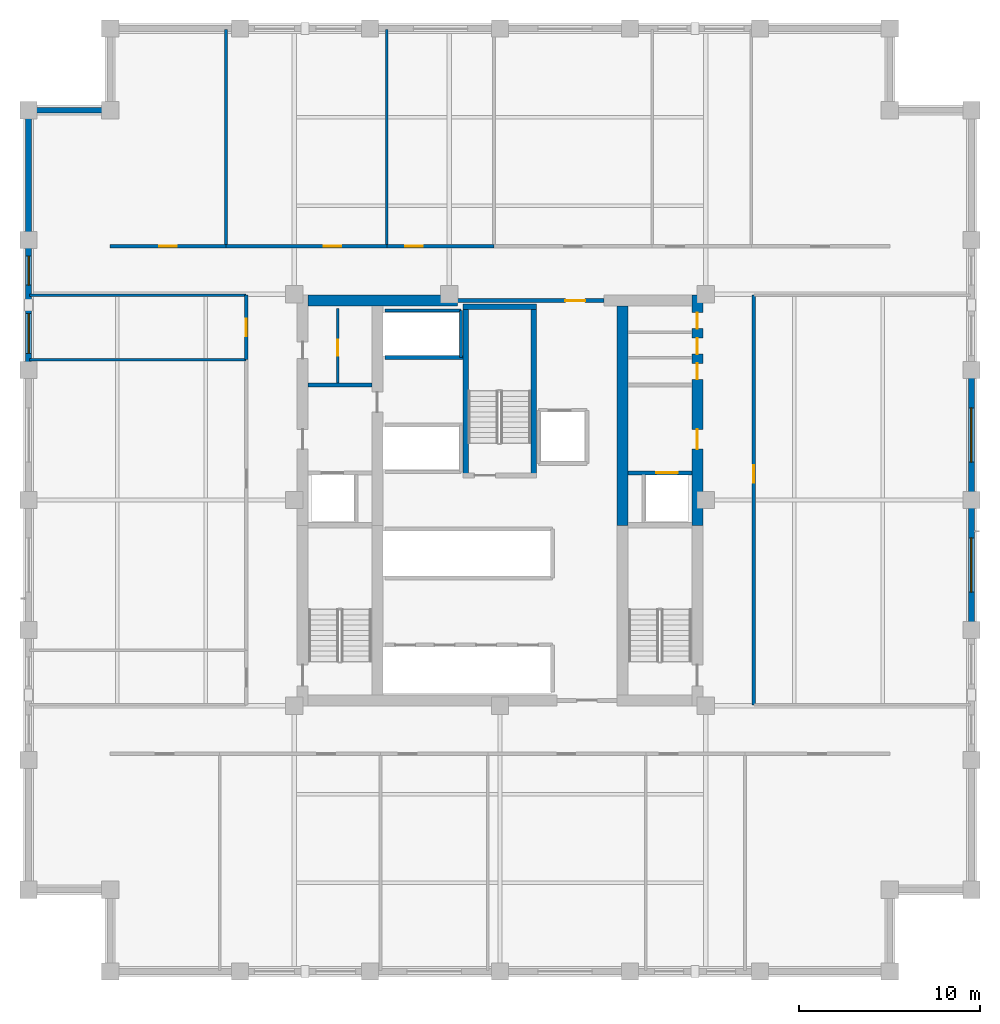
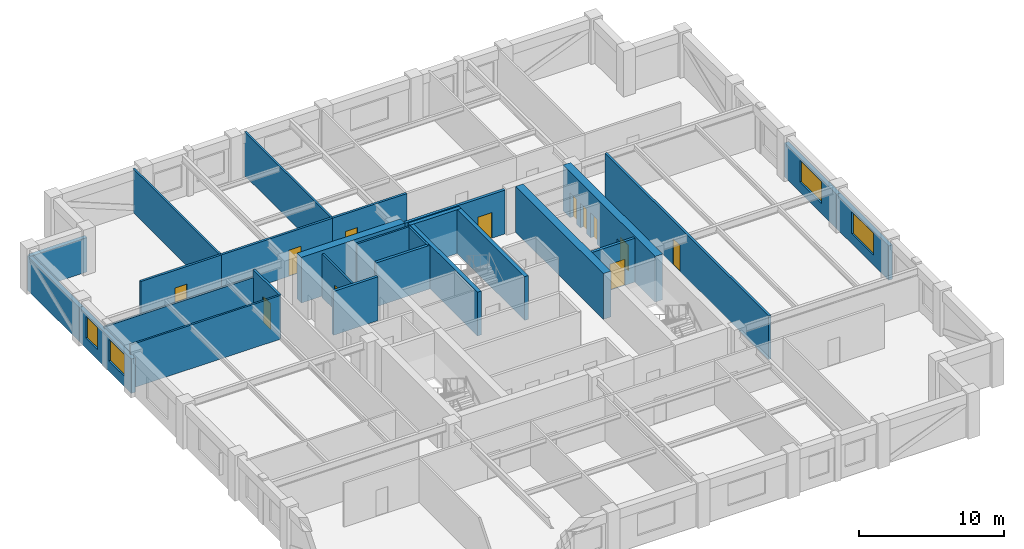
# One storey, part 7 of 9: 27 walls, 12 doors, 4 windows, 16 openings.
"""IFC4 building model written with IfcOpenShell, lengths in metres."""

import ifcopenshell
import ifcopenshell.guid

model = None  # the IFC model being written
_history = None  # IfcOwnerHistory: only IFC2X3 demands one
_inside = {}  # id of a spatial element -> (the spatial element, [elements in it])
_under = {}  # id of a project, library or spatial element -> (it, [spatial elements below it])
_declared = {}  # id of a project -> (the project, [libraries it declares])
_typed = {}  # id of a type object -> (the type object, [elements of that type])
_made_of = {}  # id of a material, layer set ... -> (it, [elements and type objects made of it])


def new_model(schema):
    """Start an empty IFC model of exactly this schema.

    Asked for "IFC4X3", IfcOpenShell would pick the latest addendum, in which some entities
    have other attributes; the version numbers below select the first issue.
    IFC2X3 requires an IfcOwnerHistory on every rooted entity: one is made here for all.
    """
    global model, _history
    if schema == "IFC4X3":
        model = ifcopenshell.file(schema_version=(4, 3, 0, 0))
    else:
        model = ifcopenshell.file(schema=schema)
    _inside.clear()
    _under.clear()
    _declared.clear()
    _typed.clear()
    _made_of.clear()
    _history = None
    if model.schema == "IFC2X3":
        org = make("IfcOrganization", Name="unknown")
        user = make(
            "IfcPersonAndOrganization",
            ThePerson=make("IfcPerson", FamilyName="unknown"),
            TheOrganization=org,
        )
        app = make(
            "IfcApplication",
            ApplicationDeveloper=org,
            Version="unknown",
            ApplicationFullName="unknown",
            ApplicationIdentifier="unknown",
        )
        _history = make(
            "IfcOwnerHistory",
            OwningUser=user,
            OwningApplication=app,
            ChangeAction="ADDED",
            CreationDate=0,
        )
    return model


def make(cls, **values):
    """One entity of the class cls with the attributes given. An attribute that is None is left unset."""
    return model.create_entity(
        cls, **{name: value for name, value in values.items() if value is not None}
    )


def rooted(cls, **values):
    """An entity with a GlobalId (a new one), such as an element, a storey or a relation."""
    return make(cls, GlobalId=ifcopenshell.guid.new(), OwnerHistory=_history, **values)


def si_unit(unit_type, name, prefix=None):
    """IfcSIUnit, for example si_unit("LENGTHUNIT", "METRE", prefix="MILLI")."""
    return make("IfcSIUnit", UnitType=unit_type, Prefix=prefix, Name=name)


def assignment(units):
    """IfcUnitAssignment: the units of a project."""
    return None if units is None else make("IfcUnitAssignment", Units=units)


def point(xyz):
    """IfcCartesianPoint."""
    return None if xyz is None else make("IfcCartesianPoint", Coordinates=xyz)


def direction(xyz):
    """IfcDirection."""
    return None if xyz is None else make("IfcDirection", DirectionRatios=xyz)


def frame(location, z_axis=None, x_axis=None):
    """IfcAxis2Placement3D, a coordinate frame: its origin and axes. An axis left out is left unset."""
    return make(
        "IfcAxis2Placement3D",
        Location=point(location),
        Axis=direction(z_axis),
        RefDirection=direction(x_axis),
    )


def frame_2d(location, x_axis=None):
    """IfcAxis2Placement2D, a coordinate frame in the plane: its origin and x axis."""
    return make(
        "IfcAxis2Placement2D", Location=point(location), RefDirection=direction(x_axis)
    )


def origin():
    """The frame at (0, 0, 0) with its axes left unset."""
    return frame((0.0, 0.0, 0.0))


def place(relative_to, where):
    """IfcLocalPlacement: puts the frame where relative to a parent placement (None: the world)."""
    return make(
        "IfcLocalPlacement", PlacementRelTo=relative_to, RelativePlacement=where
    )


def context(
    kind, dimensions, precision=None, world=None, true_north=None, identifier=None
):
    """IfcGeometricRepresentationContext, for example the 3D "Model" context."""
    return make(
        "IfcGeometricRepresentationContext",
        ContextIdentifier=identifier,
        ContextType=kind,
        CoordinateSpaceDimension=dimensions,
        Precision=precision,
        WorldCoordinateSystem=world,
        TrueNorth=true_north,
    )


def subcontext(parent, identifier, kind, view, scale=None):
    """IfcGeometricRepresentationSubContext, for example "Body" below "Model"."""
    return make(
        "IfcGeometricRepresentationSubContext",
        ContextIdentifier=identifier,
        ContextType=kind,
        ParentContext=parent,
        TargetScale=scale,
        TargetView=view,
    )


def project(units=None, contexts=None):
    """IfcProject with its units and contexts."""
    return rooted(
        "IfcProject",
        Name="project",
        RepresentationContexts=contexts,
        UnitsInContext=assignment(units),
    )


def spatial(cls, under=None, at=None, **own):
    """A site, building, storey or space (cls), placed at a placement, below another one or the project."""
    s = rooted(cls, ObjectPlacement=at, **own)
    if under is not None:
        _under.setdefault(under.id(), (under, []))[1].append(s)
    return s


def profile(cls, at=None, kind="AREA", **sizes):
    """A parametric profile (cls). Its sizes go by their IFC names, for example OverallWidth=200.0."""
    return make(cls, ProfileType=kind, Position=at, **sizes)


def rectangle(**sizes):
    """IfcRectangleProfileDef."""
    return profile("IfcRectangleProfileDef", **sizes)


def extrude(swept, where, along, depth):
    """IfcExtrudedAreaSolid: the profile swept, set in the frame where, extruded along a direction by depth."""
    return make(
        "IfcExtrudedAreaSolid",
        SweptArea=swept,
        Position=where,
        ExtrudedDirection=direction(along),
        Depth=depth,
    )


def shape(context_of_items, identifier, shape_type, items):
    """IfcShapeRepresentation: the items that make up one representation, for example the "Body"."""
    return make(
        "IfcShapeRepresentation",
        ContextOfItems=context_of_items,
        RepresentationIdentifier=identifier,
        RepresentationType=shape_type,
        Items=items,
    )


def material(Name=None, Category=None):
    """IfcMaterial."""
    return make("IfcMaterial", Name=Name, Category=Category)


def layer(
    of_material, thickness, ventilated=None, Name=None, Category=None, Priority=None
):
    """IfcMaterialLayer: one layer of a wall or slab, of a material (None: an air gap)."""
    return make(
        "IfcMaterialLayer",
        Material=of_material,
        LayerThickness=thickness,
        IsVentilated=ventilated,
        Name=Name,
        Category=Category,
        Priority=Priority,
    )


def layer_set(layers, Name=None):
    """IfcMaterialLayerSet."""
    return make("IfcMaterialLayerSet", MaterialLayers=layers, LayerSetName=Name)


def made_of(thing, what):
    """Note that an element or type object is made of a material, layer set ...; save() writes the relation."""
    if what is not None:
        _made_of.setdefault(what.id(), (what, []))[1].append(thing)
    return thing


def type_object(cls, material=None, **own):
    """A type object (cls), such as IfcWallType, which elements share."""
    return made_of(rooted(cls, **own), material)


def element(
    cls,
    number,
    at=None,
    inside=None,
    cuts=None,
    type_object=None,
    material=None,
    context=None,
    identifier="Body",
    shape_type=None,
    held_by="IfcProductDefinitionShape",
    body=None,
    shapes=None,
    **own,
):
    """One element of the class cls, such as IfcWall. Its Tag is "e" and its number.

    at: its placement. inside: the storey or other place that contains it. cuts: it is an
    opening in that element (IfcRelVoidsElement). A single representation is given by context,
    identifier, shape_type and body (its items); several are given by shapes. held_by: the class
    of the entity that holds the representations. save() writes the other relations.
    """
    e = rooted(cls, Tag="e%d" % number, ObjectPlacement=at, **own)
    if body is not None:
        shapes = [shape(context, identifier, shape_type, body)]
    if shapes is not None:
        e.Representation = make(held_by, Representations=shapes)
    if inside is not None:
        _inside.setdefault(inside.id(), (inside, []))[1].append(e)
    if cuts is not None:
        rooted(
            "IfcRelVoidsElement", RelatingBuildingElement=cuts, RelatedOpeningElement=e
        )
    if type_object is not None:
        _typed.setdefault(type_object.id(), (type_object, []))[1].append(e)
    return made_of(e, material)


def fill(opening, filler):
    """IfcRelFillsElement: the door or window that sits in an opening."""
    return rooted(
        "IfcRelFillsElement",
        RelatingOpeningElement=opening,
        RelatedBuildingElement=filler,
    )


def aggregate(whole, parts):
    """IfcRelAggregates: a whole, such as a stair, and the parts it consists of."""
    return rooted("IfcRelAggregates", RelatingObject=whole, RelatedObjects=parts)


def save(model, path):
    """Write the relations noted so far, then the file.

    IfcRelAggregates (storeys below a building ...), IfcRelContainedInSpatialStructure (elements
    in a storey), IfcRelDefinesByType, IfcRelAssociatesMaterial and IfcRelDeclares: one each for
    every whole, place, type object, material and project.
    """
    for whole, parts in _under.values():
        aggregate(whole, parts)
    for where, things in _inside.values():
        rooted(
            "IfcRelContainedInSpatialStructure",
            RelatedElements=things,
            RelatingStructure=where,
        )
    for kind, things in _typed.values():
        rooted("IfcRelDefinesByType", RelatedObjects=things, RelatingType=kind)
    for what, things in _made_of.values():
        rooted("IfcRelAssociatesMaterial", RelatedObjects=things, RelatingMaterial=what)
    for by, libraries in _declared.values():
        rooted("IfcRelDeclares", RelatingContext=by, RelatedDefinitions=libraries)
    model.write(path)


model = new_model("IFC4")

# Units and contexts
model_context = context("Model", 3, precision=1e-05, world=origin(), true_north=direction((0.0, 1.0)))
body_context = subcontext(model_context, "Body", "Model", "MODEL_VIEW")
ifc_project = project(units=[si_unit("LENGTHUNIT", "METRE"), si_unit("AREAUNIT", "SQUARE_METRE"), si_unit("VOLUMEUNIT", "CUBIC_METRE"), si_unit("PLANEANGLEUNIT", "RADIAN"), si_unit("MASSUNIT", "GRAM", prefix="KILO")], contexts=[model_context])

# Site, building, storey
site_placement = place(None, origin())
site = spatial("IfcSite", under=ifc_project, at=site_placement, CompositionType="ELEMENT")
building_placement = place(site_placement, origin())
building = spatial("IfcBuilding", under=site, at=building_placement, Name="Nhamokura Convention Tower", CompositionType="ELEMENT")
storey_placement = place(building_placement, frame((0.0, 0.0, 126.0)))
storey = spatial("IfcBuildingStorey", under=building, at=storey_placement, Name="L30", CompositionType="ELEMENT", Elevation=126.0)

# Wall, opening, door
ifc_material_1 = material(Name="Moisture-resistant tile-backer partition", Category="masonry")
ifc_layer_1 = layer(ifc_material_1, 0.139892578125)
ifc_layer_set_1 = layer_set([ifc_layer_1], Name="BathroomWetWall_140")
wall_type_1 = type_object("IfcWallType", Name="BathroomWetWall_140", PredefinedType="STANDARD", material=ifc_layer_set_1)
wall_1_placement = place(storey_placement, frame((23.050048828125, 38.449951171875, 0.0), z_axis=(0.0, 0.0, 1.0), x_axis=(0.0, 1.0, 0.0)))
wall_1 = element("IfcWall", 1, at=wall_1_placement, inside=storey, type_object=wall_type_1, Name="L30 Wall INT-L30-CWNWV", PredefinedType="STANDARD", context=body_context, shape_type="SweptSolid", body=[
    extrude(rectangle(XDim=4.10009765625, YDim=0.139892578125, at=frame_2d((2.050048828125, 0.0))), origin(), (0.0, 0.0, 1.0), 3.68505859375),
])
opening_1_placement = place(wall_1_placement, frame((1.5, 0.0, 0.0)))
opening_1 = element("IfcOpeningElement", 2, at=opening_1_placement, cuts=wall_1, Name="Opening D-11", PredefinedType="OPENING", context=body_context, shape_type="SweptSolid", body=[
    extrude(rectangle(XDim=0.8798828125, YDim=2.10009765625, at=frame_2d((0.43994140625, 1.050048828125))), frame((0.0, 0.079833984375, 0.0), z_axis=(0.0, -1.0, 0.0), x_axis=(1.0, 0.0, 0.0)), (0.0, 0.0, 1.0), 0.159912109375),
])
ifc_material_2 = material(Name="Solid oak hardwood", Category="wood")
door_type_1 = type_object("IfcDoorType", Name="BathroomDoor_880", OperationType="NOTDEFINED", PredefinedType="DOOR", material=ifc_material_2)
door_1_placement = place(opening_1_placement, origin())
door_1 = element("IfcDoor", 3, at=door_1_placement, inside=storey, type_object=door_type_1, Name="L30 Inner Store Door", OperationType="SINGLE_SWING_LEFT", OverallHeight=2.10009765625, OverallWidth=0.8798828125, PredefinedType="DOOR", context=body_context, shape_type="SweptSolid", body=[
    extrude(rectangle(XDim=0.8798828125, YDim=2.10009765625, at=frame_2d((0.43994140625, 1.050048828125))), frame((0.0, 0.02490234375, 0.0), z_axis=(0.0, -1.0, 0.0), x_axis=(1.0, 0.0, 0.0)), (0.0, 0.0, 1.0), 0.050048828125),
])
fill(opening_1, door_1)

# Wall, openings, windows
ifc_material_3 = material(Name="Bronze-pigmented precast concrete C45/55", Category="concrete")
ifc_layer_2 = layer(ifc_material_3, 0.320068359375)
ifc_layer_set_2 = layer_set([ifc_layer_2], Name="BronzePrecastSpandrel_320")
wall_type_2 = type_object("IfcWallType", Name="BronzePrecastSpandrel_320", PredefinedType="USERDEFINED", material=ifc_layer_set_2)
wall_2_placement = place(storey_placement, frame((6.0, 39.166748046875, 0.0), z_axis=(0.0, 0.0, 1.0), x_axis=(0.0, 1.0, 0.0)))
wall_2 = element("IfcWall", 4, at=wall_2_placement, inside=storey, type_object=wall_type_2, Name="L30 Masonry-Frame Wall WEST 4", ObjectType="SPANDREL_WALL", PredefinedType="USERDEFINED", context=body_context, shape_type="SweptSolid", body=[
    extrude(rectangle(XDim=7.16650390625, YDim=0.320068359375, at=frame_2d((3.583251953125, 0.0))), origin(), (0.0, 0.0, 1.0), 2.885009765625),
])
opening_2_placement = place(wall_2_placement, frame((0.916748046875, 0.0, 0.85009765625)))
opening_2 = element("IfcOpeningElement", 5, at=opening_2_placement, cuts=wall_2, Name="Opening W-06", PredefinedType="OPENING", context=body_context, shape_type="SweptSolid", body=[
    extrude(rectangle(XDim=2.199951171875, YDim=1.8349609375, at=frame_2d((1.10009765625, 0.91748046875))), frame((0.0, 0.169921875, 0.0), z_axis=(0.0, -1.0, 0.0), x_axis=(1.0, 0.0, 0.0)), (0.0, 0.0, 1.0), 0.340087890625),
])
opening_3_placement = place(wall_2_placement, frame((4.6875, 0.0, 0.85009765625)))
opening_3 = element("IfcOpeningElement", 6, at=opening_3_placement, cuts=wall_2, Name="Opening W-11", PredefinedType="OPENING", context=body_context, shape_type="SweptSolid", body=[
    extrude(rectangle(XDim=1.60009765625, YDim=1.8349609375, at=frame_2d((0.800048828125, 0.91748046875))), frame((0.0, 0.169921875, 0.0), z_axis=(0.0, -1.0, 0.0), x_axis=(1.0, 0.0, 0.0)), (0.0, 0.0, 1.0), 0.340087890625),
])
ifc_material_4 = material(Name="Solar-control bronze low-E double glass", Category="glass")
window_type_1 = type_object("IfcWindowType", Name="NotchCornerWindow_1600", PartitioningType="SINGLE_PANEL", PredefinedType="WINDOW", material=ifc_material_4)
window_1_placement = place(opening_3_placement, origin())
window_1 = element("IfcWindow", 7, at=window_1_placement, inside=storey, type_object=window_type_1, Name="L30 Facade Window WEST 4-2", OverallHeight=1.8349609375, OverallWidth=1.60009765625, PartitioningType="SINGLE_PANEL", PredefinedType="WINDOW", context=body_context, shape_type="SweptSolid", body=[
    extrude(rectangle(XDim=1.60009765625, YDim=1.8349609375, at=frame_2d((0.800048828125, 0.91748046875))), frame((0.0, 0.030029296875, 0.0), z_axis=(0.0, -1.0, 0.0), x_axis=(1.0, 0.0, 0.0)), (0.0, 0.0, 1.0), 0.06005859375),
])
fill(opening_3, window_1)
ifc_material_5 = material(Name="Solar-control bronze low-E double glass", Category="glass")
window_type_2 = type_object("IfcWindowType", Name="OfficeModuleWindow_Z2_2200", PartitioningType="SINGLE_PANEL", PredefinedType="WINDOW", material=ifc_material_5)
window_2_placement = place(opening_2_placement, origin())
window_2 = element("IfcWindow", 8, at=window_2_placement, inside=storey, type_object=window_type_2, Name="L30 Facade Window WEST 4-1", OverallHeight=1.8349609375, OverallWidth=2.199951171875, PartitioningType="SINGLE_PANEL", PredefinedType="WINDOW", context=body_context, shape_type="SweptSolid", body=[
    extrude(rectangle(XDim=2.199951171875, YDim=1.8349609375, at=frame_2d((1.10009765625, 0.91748046875))), frame((0.0, 0.030029296875, 0.0), z_axis=(0.0, -1.0, 0.0), x_axis=(1.0, 0.0, 0.0)), (0.0, 0.0, 1.0), 0.06005859375),
])
fill(opening_2, window_2)

# Wall
wall_3_placement = place(storey_placement, frame((6.0, 46.333251953125, 0.0), z_axis=(0.0, 0.0, 1.0), x_axis=(0.0, 1.0, 0.0)))
element("IfcWall", 9, at=wall_3_placement, inside=storey, type_object=wall_type_2, Name="L30 Braced-Bay Precast Wall WEST 5", ObjectType="SPANDREL_WALL", PredefinedType="USERDEFINED", context=body_context, shape_type="SweptSolid", body=[
    extrude(rectangle(XDim=7.166748046875, YDim=0.320068359375, at=frame_2d((3.58349609375, 0.0))), origin(), (0.0, 0.0, 1.0), 2.885009765625),
])

# Wall, opening, window
wall_4_placement = place(storey_placement, frame((58.0, 32.0, 0.0), z_axis=(0.0, 0.0, 1.0), x_axis=(0.0, -1.0, 0.0)))
wall_4 = element("IfcWall", 10, at=wall_4_placement, inside=storey, type_object=wall_type_2, Name="L30 Masonry-Frame Wall EAST 2", ObjectType="SPANDREL_WALL", PredefinedType="USERDEFINED", context=body_context, shape_type="SweptSolid", body=[
    extrude(rectangle(XDim=7.166748046875, YDim=0.320068359375, at=frame_2d((3.58349609375, 0.0))), origin(), (0.0, 0.0, 1.0), 2.885009765625),
])
opening_4_placement = place(wall_4_placement, frame((2.083251953125, 0.0, 0.85009765625)))
opening_4 = element("IfcOpeningElement", 11, at=opening_4_placement, cuts=wall_4, Name="Opening W-05", PredefinedType="OPENING", context=body_context, shape_type="SweptSolid", body=[
    extrude(rectangle(XDim=3.0, YDim=1.8349609375, at=frame_2d((1.5, 0.91748046875))), frame((0.0, 0.169921875, 0.0), z_axis=(0.0, -1.0, 0.0), x_axis=(1.0, 0.0, 0.0)), (0.0, 0.0, 1.0), 0.340087890625),
])
ifc_material_6 = material(Name="Solar-control bronze low-E double glass", Category="glass")
window_type_3 = type_object("IfcWindowType", Name="OfficeModuleWindow_Z2_3000", PartitioningType="DOUBLE_PANEL_VERTICAL", PredefinedType="WINDOW", material=ifc_material_6)
window_3_placement = place(opening_4_placement, origin())
window_3 = element("IfcWindow", 12, at=window_3_placement, inside=storey, type_object=window_type_3, Name="L30 Facade Window EAST 2", OverallHeight=1.8349609375, OverallWidth=3.0, PartitioningType="SINGLE_PANEL", PredefinedType="WINDOW", context=body_context, shape_type="SweptSolid", body=[
    extrude(rectangle(XDim=3.0, YDim=1.8349609375, at=frame_2d((1.5, 0.91748046875))), frame((0.0, 0.030029296875, 0.0), z_axis=(0.0, -1.0, 0.0), x_axis=(1.0, 0.0, 0.0)), (0.0, 0.0, 1.0), 0.06005859375),
])
fill(opening_4, window_3)

wall_5_placement = place(storey_placement, frame((58.0, 39.166748046875, 0.0), z_axis=(0.0, 0.0, 1.0), x_axis=(0.0, -1.0, 0.0)))
wall_5 = element("IfcWall", 13, at=wall_5_placement, inside=storey, type_object=wall_type_2, Name="L30 Masonry-Frame Wall EAST 3", ObjectType="SPANDREL_WALL", PredefinedType="USERDEFINED", context=body_context, shape_type="SweptSolid", body=[
    extrude(rectangle(XDim=7.166748046875, YDim=0.320068359375, at=frame_2d((3.58349609375, 0.0))), origin(), (0.0, 0.0, 1.0), 2.885009765625),
])
opening_5_placement = place(wall_5_placement, frame((2.083251953125, 0.0, 0.85009765625)))
opening_5 = element("IfcOpeningElement", 14, at=opening_5_placement, cuts=wall_5, Name="Opening W-05", PredefinedType="OPENING", context=body_context, shape_type="SweptSolid", body=[
    extrude(rectangle(XDim=3.0, YDim=1.8349609375, at=frame_2d((1.5, 0.91748046875))), frame((0.0, 0.169921875, 0.0), z_axis=(0.0, -1.0, 0.0), x_axis=(1.0, 0.0, 0.0)), (0.0, 0.0, 1.0), 0.340087890625),
])
window_4_placement = place(opening_5_placement, origin())
window_4 = element("IfcWindow", 15, at=window_4_placement, inside=storey, type_object=window_type_3, Name="L30 Facade Window EAST 3", OverallHeight=1.8349609375, OverallWidth=3.0, PartitioningType="SINGLE_PANEL", PredefinedType="WINDOW", context=body_context, shape_type="SweptSolid", body=[
    extrude(rectangle(XDim=3.0, YDim=1.8349609375, at=frame_2d((1.5, 0.91748046875))), frame((0.0, 0.030029296875, 0.0), z_axis=(0.0, -1.0, 0.0), x_axis=(1.0, 0.0, 0.0)), (0.0, 0.0, 1.0), 0.06005859375),
])
fill(opening_5, window_4)

# Wall
wall_6_placement = place(storey_placement, frame((6.0, 53.5, 0.0), z_axis=(0.0, 0.0, 1.0), x_axis=(1.0, 0.0, 0.0)))
element("IfcWall", 16, at=wall_6_placement, inside=storey, type_object=wall_type_2, Name="L30 Notched Corner Wall NW2", ObjectType="SPANDREL_WALL", PredefinedType="USERDEFINED", context=body_context, shape_type="SweptSolid", body=[
    extrude(rectangle(XDim=4.5, YDim=0.320068359375, at=frame_2d((2.25, 0.0))), origin(), (0.0, 0.0, 1.0), 2.885009765625),
])

# Wall, openings, doors
ifc_material_7 = material(Name="Concrete C60/75", Category="concrete")
ifc_layer_3 = layer(ifc_material_7, 0.60009765625)
ifc_layer_set_3 = layer_set([ifc_layer_3], Name="CoreShearWall_600")
wall_type_3 = type_object("IfcWallType", Name="CoreShearWall_600", PredefinedType="SHEAR", material=ifc_layer_set_3)
wall_7_placement = place(storey_placement, frame((42.889892578125, 30.60009765625, 0.0), z_axis=(0.0, 0.0, 1.0), x_axis=(0.0, 1.0, 0.0)))
wall_7 = element("IfcWall", 17, at=wall_7_placement, inside=storey, type_object=wall_type_3, Name="L30 Core Shear Wall CW-EN", PredefinedType="SHEAR", context=body_context, shape_type="SweptSolid", body=[
    extrude(rectangle(XDim=12.699951171875, YDim=0.60009765625, at=frame_2d((6.35009765625, 0.0))), origin(), (0.0, 0.0, 1.0), 3.85009765625),
])
opening_6_placement = place(wall_7_placement, frame((4.199951171875, 0.0, 0.0)))
opening_6 = element("IfcOpeningElement", 18, at=opening_6_placement, cuts=wall_7, Name="Opening D-05", PredefinedType="OPENING", context=body_context, shape_type="SweptSolid", body=[
    extrude(rectangle(XDim=1.10009765625, YDim=2.14990234375, at=frame_2d((0.550048828125, 1.074951171875))), frame((0.0, 0.31005859375, 0.0), z_axis=(0.0, -1.0, 0.0), x_axis=(1.0, 0.0, 0.0)), (0.0, 0.0, 1.0), 0.6201171875),
])
opening_7_placement = place(wall_7_placement, frame((8.050048828125, 0.0, 0.0)))
opening_7 = element("IfcOpeningElement", 19, at=opening_7_placement, cuts=wall_7, Name="Opening D-11", PredefinedType="OPENING", context=body_context, shape_type="SweptSolid", body=[
    extrude(rectangle(XDim=0.8798828125, YDim=2.10009765625, at=frame_2d((0.43994140625, 1.050048828125))), frame((0.0, 0.31005859375, 0.0), z_axis=(0.0, -1.0, 0.0), x_axis=(1.0, 0.0, 0.0)), (0.0, 0.0, 1.0), 0.6201171875),
])
opening_8_placement = place(wall_7_placement, frame((9.449951171875, 0.0, 0.0)))
opening_8 = element("IfcOpeningElement", 20, at=opening_8_placement, cuts=wall_7, Name="Opening D-11", PredefinedType="OPENING", context=body_context, shape_type="SweptSolid", body=[
    extrude(rectangle(XDim=0.8798828125, YDim=2.10009765625, at=frame_2d((0.43994140625, 1.050048828125))), frame((0.0, 0.31005859375, 0.0), z_axis=(0.0, -1.0, 0.0), x_axis=(1.0, 0.0, 0.0)), (0.0, 0.0, 1.0), 0.6201171875),
])
opening_9_placement = place(wall_7_placement, frame((10.85009765625, 0.0, 0.0)))
opening_9 = element("IfcOpeningElement", 21, at=opening_9_placement, cuts=wall_7, Name="Opening D-11", PredefinedType="OPENING", context=body_context, shape_type="SweptSolid", body=[
    extrude(rectangle(XDim=0.8798828125, YDim=2.10009765625, at=frame_2d((0.43994140625, 1.050048828125))), frame((0.0, 0.31005859375, 0.0), z_axis=(0.0, -1.0, 0.0), x_axis=(1.0, 0.0, 0.0)), (0.0, 0.0, 1.0), 0.6201171875),
])
door_2_placement = place(opening_7_placement, origin())
door_2 = element("IfcDoor", 22, at=door_2_placement, inside=storey, type_object=door_type_1, Name="L30 Core Door INT-L30-D-MWC", OperationType="SINGLE_SWING_LEFT", OverallHeight=2.10009765625, OverallWidth=0.8798828125, PredefinedType="DOOR", context=body_context, shape_type="SweptSolid", body=[
    extrude(rectangle(XDim=0.8798828125, YDim=2.10009765625, at=frame_2d((0.43994140625, 1.050048828125))), frame((0.0, 0.02490234375, 0.0), z_axis=(0.0, -1.0, 0.0), x_axis=(1.0, 0.0, 0.0)), (0.0, 0.0, 1.0), 0.050048828125),
])
fill(opening_7, door_2)
door_3_placement = place(opening_8_placement, origin())
door_3 = element("IfcDoor", 23, at=door_3_placement, inside=storey, type_object=door_type_1, Name="L30 Core Door INT-L30-D-FWC", OperationType="SINGLE_SWING_RIGHT", OverallHeight=2.10009765625, OverallWidth=0.8798828125, PredefinedType="DOOR", context=body_context, shape_type="SweptSolid", body=[
    extrude(rectangle(XDim=0.8798828125, YDim=2.10009765625, at=frame_2d((0.43994140625, 1.050048828125))), frame((0.0, 0.02490234375, 0.0), z_axis=(0.0, -1.0, 0.0), x_axis=(1.0, 0.0, 0.0)), (0.0, 0.0, 1.0), 0.050048828125),
])
fill(opening_8, door_3)
door_4_placement = place(opening_9_placement, origin())
door_4 = element("IfcDoor", 24, at=door_4_placement, inside=storey, type_object=door_type_1, Name="L30 Core Door INT-L30-D-ARC", OperationType="SINGLE_SWING_LEFT", OverallHeight=2.10009765625, OverallWidth=0.8798828125, PredefinedType="DOOR", context=body_context, shape_type="SweptSolid", body=[
    extrude(rectangle(XDim=0.8798828125, YDim=2.10009765625, at=frame_2d((0.43994140625, 1.050048828125))), frame((0.0, 0.02490234375, 0.0), z_axis=(0.0, -1.0, 0.0), x_axis=(1.0, 0.0, 0.0)), (0.0, 0.0, 1.0), 0.050048828125),
])
fill(opening_9, door_4)
ifc_material_8 = material(Name="Fire-rated steel door", Category="steel")
door_type_2 = type_object("IfcDoorType", Name="FireLobbyDoor_1100", OperationType="NOTDEFINED", PredefinedType="DOOR", material=ifc_material_8)
door_5_placement = place(opening_6_placement, origin())
door_5 = element("IfcDoor", 25, at=door_5_placement, inside=storey, type_object=door_type_2, Name="L30 Core Door INT-L30-D-FFLE", OperationType="SINGLE_SWING_LEFT", OverallHeight=2.14990234375, OverallWidth=1.10009765625, PredefinedType="DOOR", context=body_context, shape_type="SweptSolid", body=[
    extrude(rectangle(XDim=1.10009765625, YDim=2.14990234375, at=frame_2d((0.550048828125, 1.074951171875))), frame((0.0, 0.02490234375, 0.0), z_axis=(0.0, -1.0, 0.0), x_axis=(1.0, 0.0, 0.0)), (0.0, 0.0, 1.0), 0.050048828125),
])
fill(opening_6, door_5)

# Walls
wall_8_placement = place(storey_placement, frame((21.409912109375, 43.0, 0.0), z_axis=(0.0, 0.0, 1.0), x_axis=(1.0, 0.0, 0.0)))
element("IfcWall", 26, at=wall_8_placement, inside=storey, type_object=wall_type_3, Name="L30 Core Shear Wall CW-N1", PredefinedType="SHEAR", context=body_context, shape_type="SweptSolid", body=[
    extrude(rectangle(XDim=8.239990234375, YDim=0.60009765625, at=frame_2d((4.1201171875, 0.0))), origin(), (0.0, 0.0, 1.0), 3.85009765625),
])
wall_9_placement = place(storey_placement, frame((38.760009765625, 30.60009765625, 0.0), z_axis=(0.0, 0.0, 1.0), x_axis=(0.0, 1.0, 0.0)))
element("IfcWall", 27, at=wall_9_placement, inside=storey, type_object=wall_type_3, Name="L30 Core Shear Wall CW-IEN", PredefinedType="SHEAR", context=body_context, shape_type="SweptSolid", body=[
    extrude(rectangle(XDim=12.099853515625, YDim=0.60009765625, at=frame_2d((6.0498046875, 0.0))), origin(), (0.0, 0.0, 1.0), 3.85009765625),
])

# Wall, opening, door
ifc_material_9 = material(Name="Fire-rated gypsum and masonry partition", Category="masonry")
ifc_layer_4 = layer(ifc_material_9, 0.179931640625)
ifc_layer_set_4 = layer_set([ifc_layer_4], Name="CorridorRatedWall_180")
wall_type_4 = type_object("IfcWallType", Name="CorridorRatedWall_180", PredefinedType="STANDARD", material=ifc_layer_set_4)
wall_10_placement = place(storey_placement, frame((10.5, 46.0, 0.0), z_axis=(0.0, 0.0, 1.0), x_axis=(1.0, 0.0, 0.0)))
wall_10 = element("IfcWall", 28, at=wall_10_placement, inside=storey, type_object=wall_type_4, Name="L30 Wall INT-L30-CW-N00", PredefinedType="STANDARD", context=body_context, shape_type="SweptSolid", body=[
    extrude(rectangle(XDim=6.3916015625, YDim=0.179931640625, at=frame_2d((3.19580078125, 0.0))), origin(), (0.0, 0.0, 1.0), 3.68505859375),
])
opening_10_placement = place(wall_10_placement, frame((2.69580078125, 0.0, 0.0)))
opening_10 = element("IfcOpeningElement", 29, at=opening_10_placement, cuts=wall_10, Name="Opening D-08", PredefinedType="OPENING", context=body_context, shape_type="SweptSolid", body=[
    extrude(rectangle(XDim=0.97998046875, YDim=2.199951171875, at=frame_2d((0.489990234375, 1.10009765625))), frame((0.0, 0.099853515625, 0.0), z_axis=(0.0, -1.0, 0.0), x_axis=(1.0, 0.0, 0.0)), (0.0, 0.0, 1.0), 0.199951171875),
])
ifc_material_10 = material(Name="Solid oak hardwood", Category="wood")
door_type_3 = type_object("IfcDoorType", Name="OfficeEntryDoor_980", OperationType="NOTDEFINED", PredefinedType="DOOR", material=ifc_material_10)
door_6_placement = place(opening_10_placement, origin())
door_6 = element("IfcDoor", 30, at=door_6_placement, inside=storey, type_object=door_type_3, Name="L30 Training Classroom N01 Door", OperationType="SINGLE_SWING_LEFT", OverallHeight=2.199951171875, OverallWidth=0.97998046875, PredefinedType="DOOR", context=body_context, shape_type="SweptSolid", body=[
    extrude(rectangle(XDim=0.97998046875, YDim=2.199951171875, at=frame_2d((0.489990234375, 1.10009765625))), frame((0.0, 0.02490234375, 0.0), z_axis=(0.0, -1.0, 0.0), x_axis=(1.0, 0.0, 0.0)), (0.0, 0.0, 1.0), 0.050048828125),
])
fill(opening_10, door_6)

wall_11_placement = place(storey_placement, frame((16.8916015625, 46.0, 0.0), z_axis=(0.0, 0.0, 1.0), x_axis=(1.0, 0.0, 0.0)))
wall_11 = element("IfcWall", 31, at=wall_11_placement, inside=storey, type_object=wall_type_4, Name="L30 Wall INT-L30-CW-N01", PredefinedType="STANDARD", context=body_context, shape_type="SweptSolid", body=[
    extrude(rectangle(XDim=8.86669921875, YDim=0.179931640625, at=frame_2d((4.433349609375, 0.0))), origin(), (0.0, 0.0, 1.0), 3.68505859375),
])
opening_11_placement = place(wall_11_placement, frame((5.38330078125, 0.0, 0.0)))
opening_11 = element("IfcOpeningElement", 32, at=opening_11_placement, cuts=wall_11, Name="Opening D-08", PredefinedType="OPENING", context=body_context, shape_type="SweptSolid", body=[
    extrude(rectangle(XDim=0.97998046875, YDim=2.199951171875, at=frame_2d((0.489990234375, 1.10009765625))), frame((0.0, 0.099853515625, 0.0), z_axis=(0.0, -1.0, 0.0), x_axis=(1.0, 0.0, 0.0)), (0.0, 0.0, 1.0), 0.199951171875),
])
door_7_placement = place(opening_11_placement, origin())
door_7 = element("IfcDoor", 33, at=door_7_placement, inside=storey, type_object=door_type_3, Name="L30 Law Library N02 Door", OperationType="SINGLE_SWING_RIGHT", OverallHeight=2.199951171875, OverallWidth=0.97998046875, PredefinedType="DOOR", context=body_context, shape_type="SweptSolid", body=[
    extrude(rectangle(XDim=0.97998046875, YDim=2.199951171875, at=frame_2d((0.489990234375, 1.10009765625))), frame((0.0, 0.02490234375, 0.0), z_axis=(0.0, -1.0, 0.0), x_axis=(1.0, 0.0, 0.0)), (0.0, 0.0, 1.0), 0.050048828125),
])
fill(opening_11, door_7)

wall_12_placement = place(storey_placement, frame((25.75830078125, 46.0, 0.0), z_axis=(0.0, 0.0, 1.0), x_axis=(1.0, 0.0, 0.0)))
wall_12 = element("IfcWall", 34, at=wall_12_placement, inside=storey, type_object=wall_type_4, Name="L30 Wall INT-L30-CW-N02", PredefinedType="STANDARD", context=body_context, shape_type="SweptSolid", body=[
    extrude(rectangle(XDim=5.916748046875, YDim=0.179931640625, at=frame_2d((2.95849609375, 0.0))), origin(), (0.0, 0.0, 1.0), 3.68505859375),
])
opening_12_placement = place(wall_12_placement, frame((1.00830078125, 0.0, 0.0)))
opening_12 = element("IfcOpeningElement", 35, at=opening_12_placement, cuts=wall_12, Name="Opening D-08", PredefinedType="OPENING", context=body_context, shape_type="SweptSolid", body=[
    extrude(rectangle(XDim=0.97998046875, YDim=2.199951171875, at=frame_2d((0.489990234375, 1.10009765625))), frame((0.0, 0.099853515625, 0.0), z_axis=(0.0, -1.0, 0.0), x_axis=(1.0, 0.0, 0.0)), (0.0, 0.0, 1.0), 0.199951171875),
])
door_8_placement = place(opening_12_placement, origin())
door_8 = element("IfcDoor", 36, at=door_8_placement, inside=storey, type_object=door_type_3, Name="L30 Training Classroom N03 Door", OperationType="SINGLE_SWING_LEFT", OverallHeight=2.199951171875, OverallWidth=0.97998046875, PredefinedType="DOOR", context=body_context, shape_type="SweptSolid", body=[
    extrude(rectangle(XDim=0.97998046875, YDim=2.199951171875, at=frame_2d((0.489990234375, 1.10009765625))), frame((0.0, 0.02490234375, 0.0), z_axis=(0.0, -1.0, 0.0), x_axis=(1.0, 0.0, 0.0)), (0.0, 0.0, 1.0), 0.050048828125),
])
fill(opening_12, door_8)

wall_13_placement = place(storey_placement, frame((18.0, 39.74169921875, 0.0), z_axis=(0.0, 0.0, 1.0), x_axis=(0.0, 1.0, 0.0)))
wall_13 = element("IfcWall", 37, at=wall_13_placement, inside=storey, type_object=wall_type_4, Name="L30 Wall INT-L30-CW-W02", PredefinedType="STANDARD", context=body_context, shape_type="SweptSolid", body=[
    extrude(rectangle(XDim=3.558349609375, YDim=0.179931640625, at=frame_2d((1.779296875, 0.0))), origin(), (0.0, 0.0, 1.0), 3.68505859375),
])
opening_13_placement = place(wall_13_placement, frame((1.279052734375, 0.0, 0.0)))
opening_13 = element("IfcOpeningElement", 38, at=opening_13_placement, cuts=wall_13, Name="Opening D-08", PredefinedType="OPENING", context=body_context, shape_type="SweptSolid", body=[
    extrude(rectangle(XDim=0.97998046875, YDim=2.199951171875, at=frame_2d((0.489990234375, 1.10009765625))), frame((0.0, 0.099853515625, 0.0), z_axis=(0.0, -1.0, 0.0), x_axis=(1.0, 0.0, 0.0)), (0.0, 0.0, 1.0), 0.199951171875),
])
door_9_placement = place(opening_13_placement, origin())
door_9 = element("IfcDoor", 39, at=door_9_placement, inside=storey, type_object=door_type_3, Name="L30 Records Store W03 Door", OperationType="SINGLE_SWING_LEFT", OverallHeight=2.199951171875, OverallWidth=0.97998046875, PredefinedType="DOOR", context=body_context, shape_type="SweptSolid", body=[
    extrude(rectangle(XDim=0.97998046875, YDim=2.199951171875, at=frame_2d((0.489990234375, 1.10009765625))), frame((0.0, 0.02490234375, 0.0), z_axis=(0.0, -1.0, 0.0), x_axis=(1.0, 0.0, 0.0)), (0.0, 0.0, 1.0), 0.050048828125),
])
fill(opening_13, door_9)

wall_14_placement = place(storey_placement, frame((46.0, 20.699951171875, 0.0), z_axis=(0.0, 0.0, 1.0), x_axis=(0.0, 1.0, 0.0)))
wall_14 = element("IfcWall", 40, at=wall_14_placement, inside=storey, type_object=wall_type_4, Name="L30 Wall INT-L30-CW-E00", PredefinedType="STANDARD", context=body_context, shape_type="SweptSolid", body=[
    extrude(rectangle(XDim=22.60009765625, YDim=0.179931640625, at=frame_2d((11.300048828125, 0.0))), origin(), (0.0, 0.0, 1.0), 3.68505859375),
])
opening_14_placement = place(wall_14_placement, frame((12.25, 0.0, 0.0)))
opening_14 = element("IfcOpeningElement", 41, at=opening_14_placement, cuts=wall_14, Name="Opening D-08", PredefinedType="OPENING", context=body_context, shape_type="SweptSolid", body=[
    extrude(rectangle(XDim=0.97998046875, YDim=2.199951171875, at=frame_2d((0.489990234375, 1.10009765625))), frame((0.0, 0.099853515625, 0.0), z_axis=(0.0, -1.0, 0.0), x_axis=(1.0, 0.0, 0.0)), (0.0, 0.0, 1.0), 0.199951171875),
])
door_10_placement = place(opening_14_placement, origin())
door_10 = element("IfcDoor", 42, at=door_10_placement, inside=storey, type_object=door_type_3, Name="L30 Open Plan Office E01 Door", OperationType="SINGLE_SWING_LEFT", OverallHeight=2.199951171875, OverallWidth=0.97998046875, PredefinedType="DOOR", context=body_context, shape_type="SweptSolid", body=[
    extrude(rectangle(XDim=0.97998046875, YDim=2.199951171875, at=frame_2d((0.489990234375, 1.10009765625))), frame((0.0, 0.02490234375, 0.0), z_axis=(0.0, -1.0, 0.0), x_axis=(1.0, 0.0, 0.0)), (0.0, 0.0, 1.0), 0.050048828125),
])
fill(opening_14, door_10)

ifc_material_11 = material(Name="Autoclaved concrete blockwork", Category="masonry")
ifc_layer_5 = layer(ifc_material_11, 0.219970703125)
ifc_layer_set_5 = layer_set([ifc_layer_5], Name="FireLobbyWall_220")
wall_type_5 = type_object("IfcWallType", Name="FireLobbyWall_220", PredefinedType="STANDARD", material=ifc_layer_set_5)
wall_15_placement = place(storey_placement, frame((39.06005859375, 33.5, 0.0), z_axis=(0.0, 0.0, 1.0), x_axis=(1.0, 0.0, 0.0)))
wall_15 = element("IfcWall", 43, at=wall_15_placement, inside=storey, type_object=wall_type_5, Name="L30 Wall INT-L30-FFE-S", PredefinedType="STANDARD", context=body_context, shape_type="SweptSolid", body=[
    extrude(rectangle(XDim=3.530029296875, YDim=0.219970703125, at=frame_2d((1.76513671875, 0.0))), origin(), (0.0, 0.0, 1.0), 3.68505859375),
])
opening_15_placement = place(wall_15_placement, frame((1.550048828125, 0.0, 0.0)))
opening_15 = element("IfcOpeningElement", 44, at=opening_15_placement, cuts=wall_15, Name="Opening LD-02", PredefinedType="OPENING", context=body_context, shape_type="SweptSolid", body=[
    extrude(rectangle(XDim=1.199951171875, YDim=2.199951171875, at=frame_2d((0.60009765625, 1.10009765625))), frame((0.0, 0.119873046875, 0.0), z_axis=(0.0, -1.0, 0.0), x_axis=(1.0, 0.0, 0.0)), (0.0, 0.0, 1.0), 0.239990234375),
])
ifc_material_12 = material(Name="Anodised bronze stainless steel", Category="steel")
door_type_4 = type_object("IfcDoorType", Name="LiftLandingDoor_FireService", OperationType="DOUBLE_DOOR_SLIDING", PredefinedType="DOOR", material=ifc_material_12)
door_11_placement = place(opening_15_placement, origin())
door_11 = element("IfcDoor", 45, at=door_11_placement, inside=storey, type_object=door_type_4, Name="L30 Firefighting Lift LF-02 Door", OperationType="DOUBLE_DOOR_SLIDING", OverallHeight=2.199951171875, OverallWidth=1.199951171875, PredefinedType="DOOR", context=body_context, shape_type="SweptSolid", body=[
    extrude(rectangle(XDim=1.199951171875, YDim=2.199951171875, at=frame_2d((0.60009765625, 1.10009765625))), frame((0.0, 0.02490234375, 0.0), z_axis=(0.0, -1.0, 0.0), x_axis=(1.0, 0.0, 0.0)), (0.0, 0.0, 1.0), 0.050048828125),
])
fill(opening_15, door_11)

# Walls
wall_16_placement = place(storey_placement, frame((21.409912109375, 38.35009765625, 0.0), z_axis=(0.0, 0.0, 1.0), x_axis=(1.0, 0.0, 0.0)))
element("IfcWall", 46, at=wall_16_placement, inside=storey, type_object=wall_type_5, Name="L30 Wall INT-L30-FFW-N", PredefinedType="STANDARD", context=body_context, shape_type="SweptSolid", body=[
    extrude(rectangle(XDim=3.530029296875, YDim=0.219970703125, at=frame_2d((1.76513671875, 0.0))), origin(), (0.0, 0.0, 1.0), 3.68505859375),
])
wall_17_placement = place(storey_placement, frame((25.64990234375, 39.85009765625, 0.0), z_axis=(0.0, 0.0, 1.0), x_axis=(1.0, 0.0, 0.0)))
element("IfcWall", 47, at=wall_17_placement, inside=storey, type_object=wall_type_5, Name="L30 Wall INT-L30-B3N", PredefinedType="STANDARD", context=body_context, shape_type="SweptSolid", body=[
    extrude(rectangle(XDim=4.300048828125, YDim=0.219970703125, at=frame_2d((2.14990234375, 0.0))), origin(), (0.0, 0.0, 1.0), 3.68505859375),
])

# Wall, opening, door
wall_18_placement = place(storey_placement, frame((29.64990234375, 43.0, 0.0), z_axis=(0.0, 0.0, 1.0), x_axis=(1.0, 0.0, 0.0)))
wall_18 = element("IfcWall", 48, at=wall_18_placement, inside=storey, type_object=wall_type_5, Name="L30 Wall INT-L30-CPORT-N", PredefinedType="STANDARD", context=body_context, shape_type="SweptSolid", body=[
    extrude(rectangle(XDim=8.10009765625, YDim=0.219970703125, at=frame_2d((4.050048828125, 0.0))), origin(), (0.0, 0.0, 1.0), 3.68505859375),
])
opening_16_placement = place(wall_18_placement, frame((5.949951171875, 0.0, 0.0)))
opening_16 = element("IfcOpeningElement", 49, at=opening_16_placement, cuts=wall_18, Name="Opening D-05", PredefinedType="OPENING", context=body_context, shape_type="SweptSolid", body=[
    extrude(rectangle(XDim=1.10009765625, YDim=2.14990234375, at=frame_2d((0.550048828125, 1.074951171875))), frame((0.0, 0.119873046875, 0.0), z_axis=(0.0, -1.0, 0.0), x_axis=(1.0, 0.0, 0.0)), (0.0, 0.0, 1.0), 0.239990234375),
])
door_12_placement = place(opening_16_placement, origin())
door_12 = element("IfcDoor", 50, at=door_12_placement, inside=storey, type_object=door_type_2, Name="L30 North Core Lobby Portal Door", OperationType="SINGLE_SWING_RIGHT", OverallHeight=2.14990234375, OverallWidth=1.10009765625, PredefinedType="DOOR", context=body_context, shape_type="SweptSolid", body=[
    extrude(rectangle(XDim=1.10009765625, YDim=2.14990234375, at=frame_2d((0.550048828125, 1.074951171875))), frame((0.0, 0.02490234375, 0.0), z_axis=(0.0, -1.0, 0.0), x_axis=(1.0, 0.0, 0.0)), (0.0, 0.0, 1.0), 0.050048828125),
])
fill(opening_16, door_12)

# Walls
ifc_material_13 = material(Name="Acoustic gypsum stud partition", Category="masonry")
ifc_layer_6 = layer(ifc_material_13, 0.14990234375)
ifc_layer_set_6 = layer_set([ifc_layer_6], Name="InteriorPartition_150")
wall_type_6 = type_object("IfcWallType", Name="InteriorPartition_150", PredefinedType="STANDARD", material=ifc_layer_set_6)
wall_19_placement = place(storey_placement, frame((25.64990234375, 42.449951171875, 0.0), z_axis=(0.0, 0.0, 1.0), x_axis=(1.0, 0.0, 0.0)))
element("IfcWall", 51, at=wall_19_placement, inside=storey, type_object=wall_type_6, Name="L30 Wall INT-L30-B3B-N", PredefinedType="STANDARD", context=body_context, shape_type="SweptSolid", body=[
    extrude(rectangle(XDim=4.2001953125, YDim=0.14990234375, at=frame_2d((2.10009765625, 0.0))), origin(), (0.0, 0.0, 1.0), 3.68505859375),
])
wall_20_placement = place(storey_placement, frame((29.85009765625, 39.85009765625, 0.0), z_axis=(0.0, 0.0, 1.0), x_axis=(0.0, 1.0, 0.0)))
element("IfcWall", 52, at=wall_20_placement, inside=storey, type_object=wall_type_6, Name="L30 Wall INT-L30-B3B-E", PredefinedType="STANDARD", context=body_context, shape_type="SweptSolid", body=[
    extrude(rectangle(XDim=2.599853515625, YDim=0.14990234375, at=frame_2d((1.2998046875, 0.0))), origin(), (0.0, 0.0, 1.0), 3.68505859375),
])
for number, where, z_axis, x_axis, name in (
    (53, (16.8916015625, 46.0, 0.0), (0.0, 0.0, 1.0), (0.0, 1.0, 0.0), "L30 Wall INT-L30-RW-N01"),
    (54, (25.75830078125, 46.0, 0.0), (0.0, 0.0, 1.0), (0.0, 1.0, 0.0), "L30 Wall INT-L30-RW-N02"),
):
    element("IfcWall", number, at=place(storey_placement, frame(where, z_axis=z_axis, x_axis=x_axis)), inside=storey, type_object=wall_type_6, Name=name, PredefinedType="STANDARD", context=body_context, shape_type="SweptSolid", body=[
        extrude(rectangle(XDim=11.93994140625, YDim=0.14990234375, at=frame_2d((5.969970703125, 0.0))), origin(), (0.0, 0.0, 1.0), 3.68505859375),
    ])
wall_21_placement = place(storey_placement, frame((6.06005859375, 43.300048828125, 0.0), z_axis=(0.0, 0.0, 1.0), x_axis=(1.0, 0.0, 0.0)))
element("IfcWall", 55, at=wall_21_placement, inside=storey, type_object=wall_type_6, Name="L30 Wall INT-L30-RWT-W", PredefinedType="STANDARD", context=body_context, shape_type="SweptSolid", body=[
    extrude(rectangle(XDim=11.93994140625, YDim=0.14990234375, at=frame_2d((5.969970703125, 0.0))), origin(), (0.0, 0.0, 1.0), 3.055908203125),
])
wall_22_placement = place(storey_placement, frame((6.06005859375, 39.74169921875, 0.0), z_axis=(0.0, 0.0, 1.0), x_axis=(1.0, 0.0, 0.0)))
element("IfcWall", 56, at=wall_22_placement, inside=storey, type_object=wall_type_6, Name="L30 Wall INT-L30-RW-W02", PredefinedType="STANDARD", context=body_context, shape_type="SweptSolid", body=[
    extrude(rectangle(XDim=11.93994140625, YDim=0.14990234375, at=frame_2d((5.969970703125, 0.0))), origin(), (0.0, 0.0, 1.0), 3.68505859375),
])
ifc_material_14 = material(Name="Concrete C50/60", Category="concrete")
ifc_layer_7 = layer(ifc_material_14, 0.300048828125)
ifc_layer_set_7 = layer_set([ifc_layer_7], Name="ShaftEnclosureWall_300")
wall_type_7 = type_object("IfcWallType", Name="ShaftEnclosureWall_300", PredefinedType="SHEAR", material=ifc_layer_set_7)
for number, where, z_axis, x_axis, name in (
    (57, (30.10009765625, 33.199951171875, 0.0), (0.0, 0.0, 1.0), (0.0, 1.0, 0.0), "L30 Wall INT-L30-ST03W"),
    (58, (33.85009765625, 33.199951171875, 0.0), (0.0, 0.0, 1.0), (0.0, 1.0, 0.0), "L30 Wall INT-L30-ST03E"),
):
    element("IfcWall", number, at=place(storey_placement, frame(where, z_axis=z_axis, x_axis=x_axis)), inside=storey, type_object=wall_type_7, Name=name, PredefinedType="SHEAR", context=body_context, shape_type="SweptSolid", body=[
        extrude(rectangle(XDim=9.60009765625, YDim=0.300048828125, at=frame_2d((4.800048828125, 0.0))), origin(), (0.0, 0.0, 1.0), 3.68505859375),
    ])
wall_23_placement = place(storey_placement, frame((29.949951171875, 42.64990234375, 0.0), z_axis=(0.0, 0.0, 1.0), x_axis=(1.0, 0.0, 0.0)))
element("IfcWall", 59, at=wall_23_placement, inside=storey, type_object=wall_type_7, Name="L30 Wall INT-L30-ST03N", PredefinedType="SHEAR", context=body_context, shape_type="SweptSolid", body=[
    extrude(rectangle(XDim=4.050048828125, YDim=0.300048828125, at=frame_2d((2.02490234375, 0.0))), origin(), (0.0, 0.0, 1.0), 3.68505859375),
])

save(model, "model.ifc")
